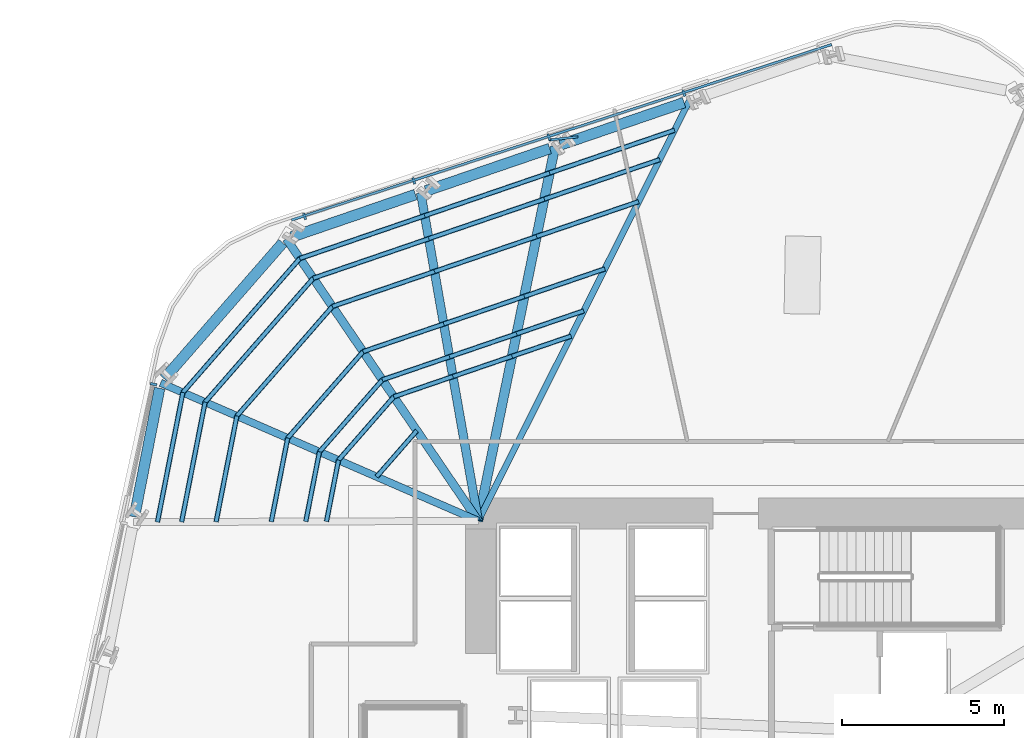
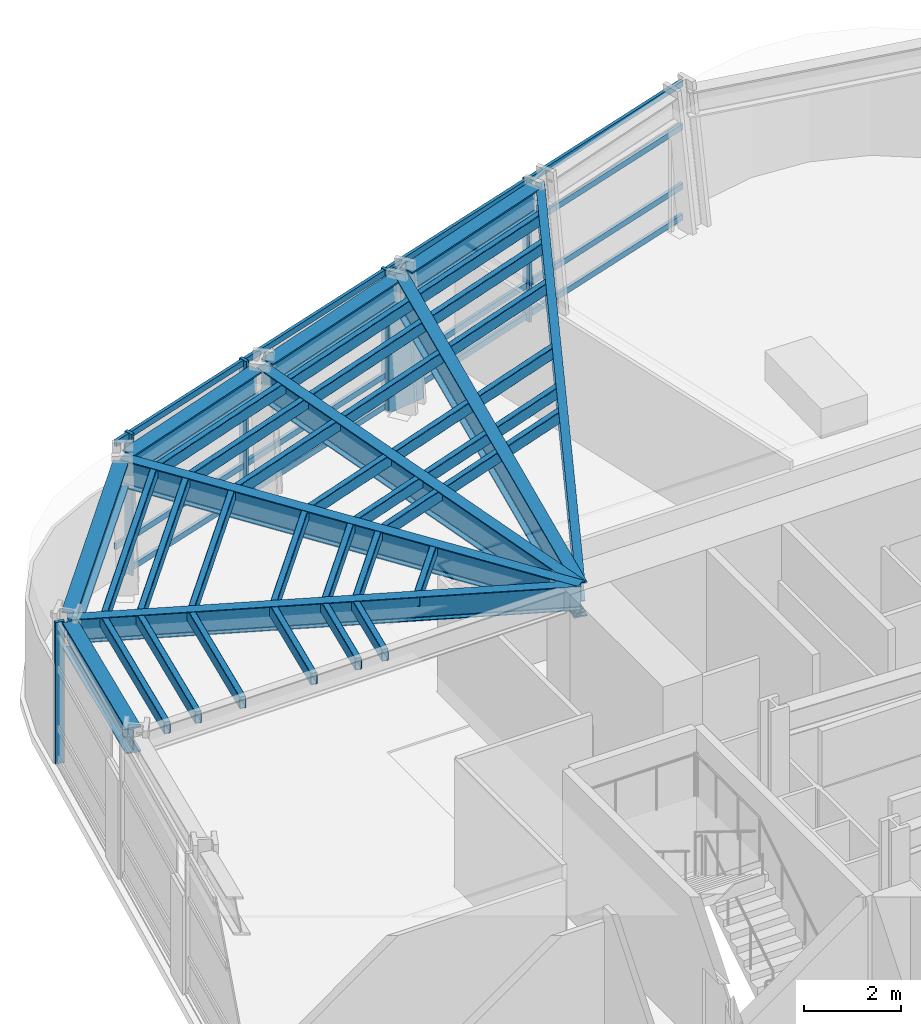
# One storey, part 6 of 16: 41 members, 10 beams, 2 elements without a shape of their own.
"""IFC4 building model written with IfcOpenShell, lengths in metres."""

from ifc_helpers import new_model, si_unit, direction, frame, origin, origin_2d, place, context, subcontext, project, spatial, rectangle, hollow_rectangle, i_section, extrude, material, layer, layer_set, material_profile, profile_set, type_object, element, aggregate, save


model = new_model("IFC4")

# Units and contexts
model_context = context("Model", 3, precision=1e-05, world=origin(), true_north=direction((0.0, 1.0)))
body_context = subcontext(model_context, "Body", "Model", "MODEL_VIEW")
ifc_project = project(units=[si_unit("LENGTHUNIT", "METRE"), si_unit("AREAUNIT", "SQUARE_METRE"), si_unit("VOLUMEUNIT", "CUBIC_METRE"), si_unit("PLANEANGLEUNIT", "RADIAN"), si_unit("MASSUNIT", "GRAM", prefix="KILO")], contexts=[model_context])

# Site, building, storey
site_placement = place(None, origin())
site = spatial("IfcSite", under=ifc_project, at=site_placement, CompositionType="ELEMENT")
building_placement = place(site_placement, origin())
building = spatial("IfcBuilding", under=site, at=building_placement, Name="Valkerne Bourse Tower", CompositionType="ELEMENT")
storey_placement = place(building_placement, frame((0.0, 0.0, 101.0)))
storey = spatial("IfcBuildingStorey", under=building, at=storey_placement, Name="L25", CompositionType="ELEMENT", Elevation=101.0)

# Beams
ifc_material_1 = material(Name="Steel ASTM A992", Category="steel")
ifc_material_profile_1 = material_profile(ifc_material_1, i_section(OverallWidth=0.1904296875, OverallDepth=0.457275390625, WebThickness=0.009033203125, FlangeThickness=0.014404296875, FilletRadius=0.01513671875, at=origin_2d()), Name="W18X50")
ifc_profile_set_1 = profile_set([ifc_material_profile_1], Name="Steel ASTM A992")
beam_type_1 = type_object("IfcBeamType", Name="BM-W18X50", PredefinedType="JOIST", material=ifc_profile_set_1)
beam_1_placement = place(storey_placement, frame((44.115966796875, 48.37060546875, 3.351318359375), z_axis=(-0.448894751473, -0.893584636227, 0.0), x_axis=(0.893584636227, -0.448894751473, 0.0)))
element("IfcBeam", 1, at=beam_1_placement, inside=storey, type_object=beam_type_1, Name="L25 Radial Composite Floor Beam 06", PredefinedType="JOIST", context=body_context, shape_type="SweptSolid", body=[
    extrude(i_section(OverallWidth=0.1904296875, OverallDepth=0.457275390625, WebThickness=0.009033203125, FlangeThickness=0.014404296875, FilletRadius=0.01513671875, at=origin_2d()), origin(), (0.0, 0.0, 1.0), 14.515380859375),
])
ifc_material_profile_2 = material_profile(ifc_material_1, i_section(OverallWidth=0.330078125, OverallDepth=0.647705078125, WebThickness=0.0205078125, FlangeThickness=0.037109375, FilletRadius=0.020263671875, at=origin_2d()), Name="W24X192")
ifc_profile_set_2 = profile_set([ifc_material_profile_2], Name="Steel ASTM A992")
beam_type_2 = type_object("IfcBeamType", Name="BM-W24X192", PredefinedType="SPANDREL", material=ifc_profile_set_2)
beam_2_placement = place(storey_placement, frame((43.955078125, 48.3154296875, 3.256103515625), z_axis=(-0.946085599933, -0.323916713987, 0.0), x_axis=(0.323916713987, -0.946085599933, 0.0)))
element("IfcBeam", 2, at=beam_2_placement, inside=storey, type_object=beam_type_2, Name="L25 Hexagonal Spandrel Ring Beam 06", PredefinedType="SPANDREL", context=body_context, shape_type="SweptSolid", body=[
    extrude(i_section(OverallWidth=0.330078125, OverallDepth=0.647705078125, WebThickness=0.0205078125, FlangeThickness=0.037109375, FilletRadius=0.020263671875, at=origin_2d()), origin(), (0.0, 0.0, 1.0), 4.04296875),
])
for number, where, z_axis, x_axis, name in (
    (3, (39.80859375, 46.895751953125, 3.256103515625), (-0.946091935333, -0.323898209161, 0.0), (0.323898209161, -0.946091935333, 0.0), "L25 Hexagonal Spandrel Ring Beam 07"),
    (4, (35.661865234375, 45.47607421875, 3.256103515625), (-0.946091935333, -0.323898209161, 0.0), (0.323898209161, -0.946091935333, 0.0), "L25 Hexagonal Spandrel Ring Beam 08"),
):
    element("IfcBeam", number, at=place(storey_placement, frame(where, z_axis=z_axis, x_axis=x_axis)), inside=storey, type_object=beam_type_2, Name=name, PredefinedType="SPANDREL", context=body_context, shape_type="SweptSolid", body=[
        extrude(i_section(OverallWidth=0.330078125, OverallDepth=0.647705078125, WebThickness=0.0205078125, FlangeThickness=0.037109375, FilletRadius=0.020263671875, at=origin_2d()), origin(), (0.0, 0.0, 1.0), 4.043212890625),
    ])
beam_3_placement = place(storey_placement, frame((31.564208984375, 43.983154296875, 3.256103515625), z_axis=(-0.657382534792, -0.753557033642, 0.0), x_axis=(0.753557033642, -0.657382534792, 0.0)))
element("IfcBeam", 5, at=beam_3_placement, inside=storey, type_object=beam_type_2, Name="L25 Hexagonal Spandrel Ring Beam 09", PredefinedType="SPANDREL", context=body_context, shape_type="SweptSolid", body=[
    extrude(i_section(OverallWidth=0.330078125, OverallDepth=0.647705078125, WebThickness=0.0205078125, FlangeThickness=0.037109375, FilletRadius=0.020263671875, at=origin_2d()), origin(), (0.0, 0.0, 1.0), 5.564453125),
])
beam_4_placement = place(storey_placement, frame((27.76171875, 39.4951171875, 3.256103515625), z_axis=(-0.192503392383, -0.981296307912, 0.0), x_axis=(0.981296307912, -0.192503392383, 0.0)))
element("IfcBeam", 6, at=beam_4_placement, inside=storey, type_object=beam_type_2, Name="L25 Hexagonal Spandrel Ring Beam 10", PredefinedType="SPANDREL", context=body_context, shape_type="SweptSolid", body=[
    extrude(i_section(OverallWidth=0.330078125, OverallDepth=0.647705078125, WebThickness=0.0205078125, FlangeThickness=0.037109375, FilletRadius=0.020263671875, at=origin_2d()), origin(), (0.0, 0.0, 1.0), 4.043212890625),
])
ifc_material_profile_3 = material_profile(ifc_material_1, i_section(OverallWidth=0.228271484375, OverallDepth=0.607177734375, WebThickness=0.01123046875, FlangeThickness=0.017333984375, FilletRadius=0.017822265625, at=origin_2d()), Name="W24X76")
ifc_profile_set_3 = profile_set([ifc_material_profile_3], Name="Steel ASTM A992")
beam_type_3 = type_object("IfcBeamType", Name="BM-W24X76", PredefinedType="JOIST", material=ifc_profile_set_3)
beam_5_placement = place(storey_placement, frame((27.79443359375, 39.661865234375, 3.2763671875), z_axis=(0.917116880212, -0.398618399011, 0.0), x_axis=(0.398618399011, 0.917116880212, 0.0)))
element("IfcBeam", 7, at=beam_5_placement, inside=storey, type_object=beam_type_3, Name="L25 Radial Composite Floor Beam 10", PredefinedType="JOIST", context=body_context, shape_type="SweptSolid", body=[
    extrude(i_section(OverallWidth=0.228271484375, OverallDepth=0.607177734375, WebThickness=0.01123046875, FlangeThickness=0.017333984375, FilletRadius=0.017822265625, at=origin_2d()), origin(), (0.0, 0.0, 1.0), 10.69189453125),
])
ifc_material_profile_4 = material_profile(ifc_material_1, i_section(OverallWidth=0.255859375, OverallDepth=0.693359375, WebThickness=0.014404296875, FlangeThickness=0.023681640625, FilletRadius=0.02294921875, at=origin_2d()), Name="W27X114")
ifc_profile_set_4 = profile_set([ifc_material_profile_4], Name="Steel ASTM A992")
beam_type_4 = type_object("IfcBeamType", Name="BM-W27X114", PredefinedType="BEAM", material=ifc_profile_set_4)
beam_6_placement = place(storey_placement, frame((31.67578125, 44.111328125, 3.2333984375), z_axis=(0.5623455175, -0.826902363613, 0.0), x_axis=(0.826902363613, 0.5623455175, 0.0)))
element("IfcBeam", 8, at=beam_6_placement, inside=storey, type_object=beam_type_4, Name="L25 Radial Composite Floor Beam 09", PredefinedType="BEAM", context=body_context, shape_type="SweptSolid", body=[
    extrude(i_section(OverallWidth=0.255859375, OverallDepth=0.693359375, WebThickness=0.014404296875, FlangeThickness=0.023681640625, FilletRadius=0.02294921875, at=origin_2d()), origin(), (0.0, 0.0, 1.0), 10.534912109375),
])
ifc_material_profile_5 = material_profile(ifc_material_1, i_section(OverallWidth=0.26806640625, OverallDepth=0.76953125, WebThickness=0.015625, FlangeThickness=0.025390625, FilletRadius=0.025390625, at=origin_2d()), Name="W30X132")
ifc_profile_set_5 = profile_set([ifc_material_profile_5], Name="Steel ASTM A992")
beam_type_5 = type_object("IfcBeamType", Name="BM-W30X132", PredefinedType="BEAM", material=ifc_profile_set_5)
beam_7_placement = place(storey_placement, frame((35.822509765625, 45.531005859375, 3.1953125), z_axis=(0.17281846499, -0.984953693408, 0.0), x_axis=(0.984953693408, 0.17281846499, 0.0)))
element("IfcBeam", 9, at=beam_7_placement, inside=storey, type_object=beam_type_5, Name="L25 Radial Composite Floor Beam 08", PredefinedType="BEAM", context=body_context, shape_type="SweptSolid", body=[
    extrude(i_section(OverallWidth=0.26806640625, OverallDepth=0.76953125, WebThickness=0.015625, FlangeThickness=0.025390625, FilletRadius=0.025390625, at=origin_2d()), origin(), (0.0, 0.0, 1.0), 10.285888671875),
])
ifc_material_profile_6 = material_profile(ifc_material_1, i_section(OverallWidth=0.2919921875, OverallDepth=0.8583984375, WebThickness=0.01708984375, FlangeThickness=0.031005859375, FilletRadius=0.025390625, at=origin_2d()), Name="W33X169")
ifc_profile_set_6 = profile_set([ifc_material_profile_6], Name="Steel ASTM A992")
beam_type_6 = type_object("IfcBeamType", Name="BM-W33X169", PredefinedType="BEAM", material=ifc_profile_set_6)
beam_8_placement = place(storey_placement, frame((39.96923828125, 46.95068359375, 3.15087890625), z_axis=(-0.200923765007, -0.97960688067, 0.0), x_axis=(0.97960688067, -0.200923765007, 0.0)))
element("IfcBeam", 10, at=beam_8_placement, inside=storey, type_object=beam_type_6, Name="L25 Radial Composite Floor Beam 07", PredefinedType="BEAM", context=body_context, shape_type="SweptSolid", body=[
    extrude(i_section(OverallWidth=0.2919921875, OverallDepth=0.8583984375, WebThickness=0.01708984375, FlangeThickness=0.031005859375, FilletRadius=0.025390625, at=origin_2d()), origin(), (0.0, 0.0, 1.0), 11.791259765625),
])

# Curtain wall, members
ifc_material_2 = material(Name="Aluminium AA 6063-T6", Category="aluminium")
ifc_layer = layer(ifc_material_2, 0.22998046875)
ifc_layer_set = layer_set([ifc_layer], Name="Aluminium AA 6063-T6")
curtain_wall_type = type_object("IfcCurtainWallType", Name="CW-02", PredefinedType="NOTDEFINED", material=ifc_layer_set)
curtain_wall_1_placement = place(storey_placement, origin())
curtain_wall_1 = element("IfcCurtainWall", 11, at=curtain_wall_1_placement, inside=storey, type_object=curtain_wall_type, Name="L25 Hexagonal Stick Curtain Wall Face 2", PredefinedType="NOTDEFINED")
ifc_material_profile_7 = material_profile(ifc_material_2, rectangle(XDim=0.074951171875, YDim=0.199951171875, at=origin_2d()), Name="CWM-75X200")
ifc_profile_set_7 = profile_set([ifc_material_profile_7], Name="Aluminium AA 6063-T6")
member_type_1 = type_object("IfcMemberType", Name="CW-MUL-220X75", PredefinedType="MULLION", material=ifc_profile_set_7)
member_1_placement = place(storey_placement, frame((43.947509765625, 48.603515625, 0.0), z_axis=(0.0, 0.0, 1.0), x_axis=(-0.951058377242, -0.309011266911, 0.0)))
member_1 = element("IfcMember", 12, at=member_1_placement, type_object=member_type_1, Name="CW-L25-F2 Jamb Mullion 01A", PredefinedType="MULLION", context=body_context, shape_type="SweptSolid", body=[
    extrude(rectangle(XDim=0.074951171875, YDim=0.199951171875, at=origin_2d()), origin(), (0.0, 0.0, 1.0), 3.580078125),
])
member_2_placement = place(storey_placement, frame((39.779052734375, 47.249267578125, 0.0), z_axis=(0.0, 0.0, 1.0), x_axis=(-0.951056198577, -0.309017972209, 0.0)))
member_2 = element("IfcMember", 13, at=member_2_placement, type_object=member_type_1, Name="CW-L25-F2 Jamb Mullion 02A", PredefinedType="MULLION", context=body_context, shape_type="SweptSolid", body=[
    extrude(rectangle(XDim=0.074951171875, YDim=0.199951171875, at=origin_2d()), origin(), (0.0, 0.0, 1.0), 3.580078125),
])
member_3_placement = place(storey_placement, frame((35.610595703125, 45.894775390625, 0.0), z_axis=(0.0, 0.0, 1.0), x_axis=(-0.951058377242, -0.309011266911, 0.0)))
member_3 = element("IfcMember", 14, at=member_3_placement, type_object=member_type_1, Name="CW-L25-F2 Jamb Mullion 03A", PredefinedType="MULLION", context=body_context, shape_type="SweptSolid", body=[
    extrude(rectangle(XDim=0.074951171875, YDim=0.199951171875, at=origin_2d()), origin(), (0.0, 0.0, 1.0), 3.580078125),
])
member_4_placement = place(storey_placement, frame((32.240966796875, 44.7998046875, 0.0), z_axis=(0.0, 0.0, 1.0), x_axis=(-0.951058377242, -0.309011266911, 0.0)))
member_4 = element("IfcMember", 15, at=member_4_placement, type_object=member_type_1, Name="CW-L25-F2 Jamb Mullion 03B", PredefinedType="MULLION", context=body_context, shape_type="SweptSolid", body=[
    extrude(rectangle(XDim=0.074951171875, YDim=0.199951171875, at=origin_2d()), origin(), (0.0, 0.0, 1.0), 3.580078125),
])

# Curtain wall, member
curtain_wall_2_placement = place(storey_placement, origin())
curtain_wall_2 = element("IfcCurtainWall", 16, at=curtain_wall_2_placement, inside=storey, type_object=curtain_wall_type, Name="L25 Hexagonal Stick Curtain Wall Face 3", PredefinedType="NOTDEFINED")
member_5_placement = place(storey_placement, frame((27.57568359375, 39.61865234375, 0.0), z_axis=(0.0, 0.0, 1.0), x_axis=(-0.207917695785, -0.978146324319, 0.0)))
member_5 = element("IfcMember", 17, at=member_5_placement, type_object=member_type_1, Name="CW-L25-F3 Jamb Mullion 00A", PredefinedType="MULLION", context=body_context, shape_type="SweptSolid", body=[
    extrude(rectangle(XDim=0.074951171875, YDim=0.199951171875, at=origin_2d()), origin(), (0.0, 0.0, 1.0), 3.580078125),
])
aggregate(curtain_wall_2, [member_5])

# Member
ifc_material_profile_8 = material_profile(ifc_material_2, rectangle(XDim=0.074951171875, YDim=0.14990234375, at=origin_2d()), Name="CWT-75X150")
ifc_profile_set_8 = profile_set([ifc_material_profile_8], Name="Aluminium AA 6063-T6")
member_type_2 = type_object("IfcMemberType", Name="CW-TRN-180X65", PredefinedType="USERDEFINED", material=ifc_profile_set_8)
member_6_placement = place(storey_placement, frame((48.50927734375, 50.10693359375, 0.1201171875), z_axis=(-0.951055352246, -0.309020576925, 0.0), x_axis=(0.309020576925, -0.951055352246, 0.0)))
member_6 = element("IfcMember", 18, at=member_6_placement, type_object=member_type_2, Name="CW-L25-F2 Continuous Face Transom 1", ObjectType="TRANSOM", PredefinedType="USERDEFINED", context=body_context, shape_type="SweptSolid", body=[
    extrude(rectangle(XDim=0.074951171875, YDim=0.14990234375, at=origin_2d()), origin(), (0.0, 0.0, 1.0), 17.531982421875),
])

member_7_placement = place(storey_placement, frame((48.50927734375, 50.10693359375, 0.89990234375), z_axis=(-0.951055352246, -0.309020576925, 0.0), x_axis=(0.309020576925, -0.951055352246, 0.0)))
member_7 = element("IfcMember", 19, at=member_7_placement, type_object=member_type_2, Name="CW-L25-F2 Continuous Face Transom 2", ObjectType="TRANSOM", PredefinedType="USERDEFINED", context=body_context, shape_type="SweptSolid", body=[
    extrude(rectangle(XDim=0.074951171875, YDim=0.14990234375, at=origin_2d()), origin(), (0.0, 0.0, 1.0), 17.531982421875),
])

member_8_placement = place(storey_placement, frame((48.50927734375, 50.10693359375, 2.39990234375), z_axis=(-0.951055352246, -0.309020576925, 0.0), x_axis=(0.309020576925, -0.951055352246, 0.0)))
member_8 = element("IfcMember", 20, at=member_8_placement, type_object=member_type_2, Name="CW-L25-F2 Continuous Face Transom 3", ObjectType="TRANSOM", PredefinedType="USERDEFINED", context=body_context, shape_type="SweptSolid", body=[
    extrude(rectangle(XDim=0.074951171875, YDim=0.14990234375, at=origin_2d()), origin(), (0.0, 0.0, 1.0), 17.531982421875),
])

member_9_placement = place(storey_placement, frame((48.50927734375, 50.10693359375, 3.5), z_axis=(-0.951055352246, -0.309020576925, 0.0), x_axis=(0.309020576925, -0.951055352246, 0.0)))
member_9 = element("IfcMember", 21, at=member_9_placement, type_object=member_type_2, Name="CW-L25-F2 Continuous Face Transom 4", ObjectType="TRANSOM", PredefinedType="USERDEFINED", context=body_context, shape_type="SweptSolid", body=[
    extrude(rectangle(XDim=0.074951171875, YDim=0.14990234375, at=origin_2d()), origin(), (0.0, 0.0, 1.0), 17.531982421875),
])

aggregate(curtain_wall_1, [member_6, member_7, member_8, member_9, member_1, member_2, member_3, member_4])

# Members
ifc_material_3 = material(Name="Bronze Anodised Aluminium AA 6063-T6", Category="aluminium")
ifc_material_profile_9 = material_profile(ifc_material_3, rectangle(XDim=0.070068359375, YDim=0.89990234375, at=origin_2d()), Name="FIN-70X900")
ifc_profile_set_9 = profile_set([ifc_material_profile_9], Name="Bronze Anodised Aluminium AA 6063-T6")
member_type_3 = type_object("IfcMemberType", Name="FIN-SOLAR-900", PredefinedType="USERDEFINED", material=ifc_profile_set_9)
member_10_placement = place(storey_placement, frame((40.234130859375, 47.207763671875, 0.00390625), z_axis=(0.0, 0.0, 1.0), x_axis=(-0.112549154347, 0.993646158276, 0.0)))
element("IfcMember", 22, at=member_10_placement, inside=storey, type_object=member_type_3, Name="L25 Bronze Anodised Solar Fin F2-02", ObjectType="SOLAR_FIN", PredefinedType="USERDEFINED", context=body_context, shape_type="SweptSolid", body=[
    extrude(rectangle(XDim=0.070068359375, YDim=0.89990234375, at=origin_2d()), origin(), (0.0, 0.0, 1.0), 3.572021484375),
])
ifc_material_4 = material(Name="Steel ASTM A500 Grade C", Category="steel")
ifc_material_profile_10 = material_profile(ifc_material_4, hollow_rectangle(XDim=0.14990234375, YDim=0.300048828125, WallThickness=0.012451171875, OuterFilletRadius=0.02490234375, at=origin_2d()), Name="HSS300X150X12.5")
ifc_profile_set_10 = profile_set([ifc_material_profile_10], Name="Steel ASTM A500 Grade C")
member_type_4 = type_object("IfcMemberType", Name="MBR-HSS300X150X12.5", PredefinedType="PURLIN", material=ifc_profile_set_10)
member_11_placement = place(storey_placement, frame((35.704345703125, 38.1875, 3.419921875), z_axis=(-0.657470228399, -0.753480523152, 0.0), x_axis=(0.753480523152, -0.657470228399, 0.0)))
element("IfcMember", 23, at=member_11_placement, inside=storey, type_object=member_type_4, Name="L25 Secondary Composite Floor Purlin I-09", PredefinedType="PURLIN", context=body_context, shape_type="SweptSolid", body=[
    extrude(hollow_rectangle(XDim=0.14990234375, YDim=0.300048828125, WallThickness=0.012451171875, OuterFilletRadius=0.02490234375, at=origin_2d()), origin(), (0.0, 0.0, 1.0), 1.889404296875),
])
member_12_placement = place(storey_placement, frame((40.467041015625, 41.10693359375, 3.419921875), z_axis=(-0.946107850775, -0.323851717153, 0.0), x_axis=(0.323851717153, -0.946107850775, 0.0)))
element("IfcMember", 24, at=member_12_placement, inside=storey, type_object=member_type_4, Name="L25 Secondary Composite Floor Purlin K-06", PredefinedType="PURLIN", context=body_context, shape_type="SweptSolid", body=[
    extrude(hollow_rectangle(XDim=0.14990234375, YDim=0.300048828125, WallThickness=0.012451171875, OuterFilletRadius=0.02490234375, at=origin_2d()), origin(), (0.0, 0.0, 1.0), 1.928466796875),
])
member_13_placement = place(storey_placement, frame((38.642578125, 40.482421875, 3.419921875), z_axis=(-0.946082338969, -0.323926238349, 0.0), x_axis=(0.323926238349, -0.946082338969, 0.0)))
element("IfcMember", 25, at=member_13_placement, inside=storey, type_object=member_type_4, Name="L25 Secondary Composite Floor Purlin K-07", PredefinedType="PURLIN", context=body_context, shape_type="SweptSolid", body=[
    extrude(hollow_rectangle(XDim=0.14990234375, YDim=0.300048828125, WallThickness=0.012451171875, OuterFilletRadius=0.02490234375, at=origin_2d()), origin(), (0.0, 0.0, 1.0), 1.9287109375),
])
member_14_placement = place(storey_placement, frame((36.81787109375, 39.857666015625, 3.419921875), z_axis=(-0.946069054441, -0.323965035503, 0.0), x_axis=(0.323965035503, -0.946069054441, 0.0)))
element("IfcMember", 26, at=member_14_placement, inside=storey, type_object=member_type_4, Name="L25 Secondary Composite Floor Purlin K-08", PredefinedType="PURLIN", context=body_context, shape_type="SweptSolid", body=[
    extrude(hollow_rectangle(XDim=0.14990234375, YDim=0.300048828125, WallThickness=0.012451171875, OuterFilletRadius=0.02490234375, at=origin_2d()), origin(), (0.0, 0.0, 1.0), 1.928466796875),
])
member_15_placement = place(storey_placement, frame((34.993408203125, 39.23291015625, 3.419921875), z_axis=(-0.657406217943, -0.753536372453, 0.0), x_axis=(0.753536372453, -0.657406217943, 0.0)))
element("IfcMember", 27, at=member_15_placement, inside=storey, type_object=member_type_4, Name="L25 Secondary Composite Floor Purlin K-09", PredefinedType="PURLIN", context=body_context, shape_type="SweptSolid", body=[
    extrude(hollow_rectangle(XDim=0.14990234375, YDim=0.300048828125, WallThickness=0.012451171875, OuterFilletRadius=0.02490234375, at=origin_2d()), origin(), (0.0, 0.0, 1.0), 2.59814453125),
])
member_16_placement = place(storey_placement, frame((33.285400390625, 37.275146484375, 3.419921875), z_axis=(-0.192438365935, -0.981309062078, 0.0), x_axis=(0.981309062078, -0.192438365935, 0.0)))
element("IfcMember", 28, at=member_16_placement, inside=storey, type_object=member_type_4, Name="L25 Secondary Composite Floor Purlin K-10", PredefinedType="PURLIN", context=body_context, shape_type="SweptSolid", body=[
    extrude(hollow_rectangle(XDim=0.14990234375, YDim=0.300048828125, WallThickness=0.012451171875, OuterFilletRadius=0.02490234375, at=origin_2d()), origin(), (0.0, 0.0, 1.0), 1.928466796875),
])
member_17_placement = place(storey_placement, frame((40.85791015625, 41.88525390625, 3.419921875), z_axis=(-0.946066970877, -0.323971120032, 0.0), x_axis=(0.323971120032, -0.946066970877, 0.0)))
element("IfcMember", 29, at=member_17_placement, inside=storey, type_object=member_type_4, Name="L25 Secondary Composite Floor Purlin M-06", PredefinedType="PURLIN", context=body_context, shape_type="SweptSolid", body=[
    extrude(hollow_rectangle(XDim=0.14990234375, YDim=0.300048828125, WallThickness=0.012451171875, OuterFilletRadius=0.02490234375, at=origin_2d()), origin(), (0.0, 0.0, 1.0), 2.19140625),
])
member_18_placement = place(storey_placement, frame((38.78466796875, 41.17529296875, 3.419921875), z_axis=(-0.946112797211, -0.323837266159, 0.0), x_axis=(0.323837266159, -0.946112797211, 0.0)))
element("IfcMember", 30, at=member_18_placement, inside=storey, type_object=member_type_4, Name="L25 Secondary Composite Floor Purlin M-07", PredefinedType="PURLIN", context=body_context, shape_type="SweptSolid", body=[
    extrude(hollow_rectangle(XDim=0.14990234375, YDim=0.300048828125, WallThickness=0.012451171875, OuterFilletRadius=0.02490234375, at=origin_2d()), origin(), (0.0, 0.0, 1.0), 2.191650390625),
])
member_19_placement = place(storey_placement, frame((36.711181640625, 40.465576171875, 3.419921875), z_axis=(-0.946066970877, -0.323971120032, 0.0), x_axis=(0.323971120032, -0.946066970877, 0.0)))
element("IfcMember", 31, at=member_19_placement, inside=storey, type_object=member_type_4, Name="L25 Secondary Composite Floor Purlin M-08", PredefinedType="PURLIN", context=body_context, shape_type="SweptSolid", body=[
    extrude(hollow_rectangle(XDim=0.14990234375, YDim=0.300048828125, WallThickness=0.012451171875, OuterFilletRadius=0.02490234375, at=origin_2d()), origin(), (0.0, 0.0, 1.0), 2.19140625),
])
member_20_placement = place(storey_placement, frame((34.637939453125, 39.755615234375, 3.419921875), z_axis=(-0.657379743111, -0.753559469018, 0.0), x_axis=(0.753559469018, -0.657379743111, 0.0)))
element("IfcMember", 32, at=member_20_placement, inside=storey, type_object=member_type_4, Name="L25 Secondary Composite Floor Purlin M-09", PredefinedType="PURLIN", context=body_context, shape_type="SweptSolid", body=[
    extrude(hollow_rectangle(XDim=0.14990234375, YDim=0.300048828125, WallThickness=0.012451171875, OuterFilletRadius=0.02490234375, at=origin_2d()), origin(), (0.0, 0.0, 1.0), 2.9521484375),
])
member_21_placement = place(storey_placement, frame((32.697265625, 37.531005859375, 3.419921875), z_axis=(-0.192494388925, -0.9812980741, 0.0), x_axis=(0.9812980741, -0.192494388925, 0.0)))
element("IfcMember", 33, at=member_21_placement, inside=storey, type_object=member_type_4, Name="L25 Secondary Composite Floor Purlin M-10", PredefinedType="PURLIN", context=body_context, shape_type="SweptSolid", body=[
    extrude(hollow_rectangle(XDim=0.14990234375, YDim=0.300048828125, WallThickness=0.012451171875, OuterFilletRadius=0.02490234375, at=origin_2d()), origin(), (0.0, 0.0, 1.0), 2.191650390625),
])
for number, where, z_axis, x_axis, name in (
    (34, (42.55224609375, 45.257568359375, 3.419921875), (-0.946101945891, -0.323868967301, 0.0), (0.323868967301, -0.946101945891, 0.0), "L25 Secondary Composite Floor Purlin O-06"),
    (35, (39.400634765625, 44.1787109375, 3.419921875), (-0.946071795893, -0.323957029582, 0.0), (0.323957029582, -0.946071795893, 0.0), "L25 Secondary Composite Floor Purlin O-07"),
):
    element("IfcMember", number, at=place(storey_placement, frame(where, z_axis=z_axis, x_axis=x_axis)), inside=storey, type_object=member_type_4, Name=name, PredefinedType="PURLIN", context=body_context, shape_type="SweptSolid", body=[
        extrude(hollow_rectangle(XDim=0.14990234375, YDim=0.300048828125, WallThickness=0.012451171875, OuterFilletRadius=0.02490234375, at=origin_2d()), origin(), (0.0, 0.0, 1.0), 3.3310546875),
    ])
member_22_placement = place(storey_placement, frame((36.249267578125, 43.099609375, 3.419921875), z_axis=(-0.946079487105, -0.323934567589, 0.0), x_axis=(0.323934567589, -0.946079487105, 0.0)))
element("IfcMember", 36, at=member_22_placement, inside=storey, type_object=member_type_4, Name="L25 Secondary Composite Floor Purlin O-08", PredefinedType="PURLIN", context=body_context, shape_type="SweptSolid", body=[
    extrude(hollow_rectangle(XDim=0.14990234375, YDim=0.300048828125, WallThickness=0.012451171875, OuterFilletRadius=0.02490234375, at=origin_2d()), origin(), (0.0, 0.0, 1.0), 3.331298828125),
])
member_23_placement = place(storey_placement, frame((33.09765625, 42.0205078125, 3.419921875), z_axis=(-0.657375325317, -0.75356332293, 0.0), x_axis=(0.75356332293, -0.657375325317, 0.0)))
element("IfcMember", 37, at=member_23_placement, inside=storey, type_object=member_type_4, Name="L25 Secondary Composite Floor Purlin O-09", PredefinedType="PURLIN", context=body_context, shape_type="SweptSolid", body=[
    extrude(hollow_rectangle(XDim=0.14990234375, YDim=0.300048828125, WallThickness=0.012451171875, OuterFilletRadius=0.02490234375, at=origin_2d()), origin(), (0.0, 0.0, 1.0), 4.487548828125),
])
member_24_placement = place(storey_placement, frame((30.147705078125, 38.638916015625, 3.419921875), z_axis=(-0.192478123753, -0.981301264585, 0.0), x_axis=(0.981301264585, -0.192478123753, 0.0)))
element("IfcMember", 38, at=member_24_placement, inside=storey, type_object=member_type_4, Name="L25 Secondary Composite Floor Purlin O-10", PredefinedType="PURLIN", context=body_context, shape_type="SweptSolid", body=[
    extrude(hollow_rectangle(XDim=0.14990234375, YDim=0.300048828125, WallThickness=0.012451171875, OuterFilletRadius=0.02490234375, at=origin_2d()), origin(), (0.0, 0.0, 1.0), 3.330810546875),
])
member_25_placement = place(storey_placement, frame((41.509521484375, 43.182373046875, 3.419921875), z_axis=(-0.946089887206, -0.323904191587, 0.0), x_axis=(0.323904191587, -0.946089887206, 0.0)))
element("IfcMember", 39, at=member_25_placement, inside=storey, type_object=member_type_4, Name="L25 Secondary Composite Floor Purlin Z-06", PredefinedType="PURLIN", context=body_context, shape_type="SweptSolid", body=[
    extrude(hollow_rectangle(XDim=0.14990234375, YDim=0.300048828125, WallThickness=0.012451171875, OuterFilletRadius=0.02490234375, at=origin_2d()), origin(), (0.0, 0.0, 1.0), 2.6298828125),
])
member_26_placement = place(storey_placement, frame((39.021484375, 42.33056640625, 3.419921875), z_axis=(-0.946080146151, -0.323932642779, 0.0), x_axis=(0.323932642779, -0.946080146151, 0.0)))
element("IfcMember", 40, at=member_26_placement, inside=storey, type_object=member_type_4, Name="L25 Secondary Composite Floor Purlin Z-07", PredefinedType="PURLIN", context=body_context, shape_type="SweptSolid", body=[
    extrude(hollow_rectangle(XDim=0.14990234375, YDim=0.300048828125, WallThickness=0.012451171875, OuterFilletRadius=0.02490234375, at=origin_2d()), origin(), (0.0, 0.0, 1.0), 2.629638671875),
])
member_27_placement = place(storey_placement, frame((36.53369140625, 41.478759765625, 3.419921875), z_axis=(-0.946071178764, -0.323958831818, 0.0), x_axis=(0.323958831818, -0.946071178764, 0.0)))
element("IfcMember", 41, at=member_27_placement, inside=storey, type_object=member_type_4, Name="L25 Secondary Composite Floor Purlin Z-08", PredefinedType="PURLIN", context=body_context, shape_type="SweptSolid", body=[
    extrude(hollow_rectangle(XDim=0.14990234375, YDim=0.300048828125, WallThickness=0.012451171875, OuterFilletRadius=0.02490234375, at=origin_2d()), origin(), (0.0, 0.0, 1.0), 2.630126953125),
])
member_28_placement = place(storey_placement, frame((34.04541015625, 40.626708984375, 3.419921875), z_axis=(-0.657367086723, -0.753570509835, 0.0), x_axis=(0.753570509835, -0.657367086723, 0.0)))
element("IfcMember", 42, at=member_28_placement, inside=storey, type_object=member_type_4, Name="L25 Secondary Composite Floor Purlin Z-09", PredefinedType="PURLIN", context=body_context, shape_type="SweptSolid", body=[
    extrude(hollow_rectangle(XDim=0.14990234375, YDim=0.300048828125, WallThickness=0.012451171875, OuterFilletRadius=0.02490234375, at=origin_2d()), origin(), (0.0, 0.0, 1.0), 3.542724609375),
])
member_29_placement = place(storey_placement, frame((31.716552734375, 37.95703125, 3.419921875), z_axis=(-0.192454778916, -0.981305843289, 0.0), x_axis=(0.981305843289, -0.192454778916, 0.0)))
element("IfcMember", 43, at=member_29_placement, inside=storey, type_object=member_type_4, Name="L25 Secondary Composite Floor Purlin Z-10", PredefinedType="PURLIN", context=body_context, shape_type="SweptSolid", body=[
    extrude(hollow_rectangle(XDim=0.14990234375, YDim=0.300048828125, WallThickness=0.012451171875, OuterFilletRadius=0.02490234375, at=origin_2d()), origin(), (0.0, 0.0, 1.0), 2.629638671875),
])
member_30_placement = place(storey_placement, frame((43.203857421875, 46.5546875, 3.419921875), z_axis=(-0.946087222841, -0.323911973809, 0.0), x_axis=(0.323911973809, -0.946087222841, 0.0)))
element("IfcMember", 44, at=member_30_placement, inside=storey, type_object=member_type_4, Name="L25 Secondary Composite Floor Purlin T-06", PredefinedType="PURLIN", context=body_context, shape_type="SweptSolid", body=[
    extrude(hollow_rectangle(XDim=0.14990234375, YDim=0.300048828125, WallThickness=0.012451171875, OuterFilletRadius=0.02490234375, at=origin_2d()), origin(), (0.0, 0.0, 1.0), 3.769287109375),
])
member_31_placement = place(storey_placement, frame((39.6376953125, 45.333740234375, 3.419921875), z_axis=(-0.946094017759, -0.323892126425, 0.0), x_axis=(0.323892126425, -0.946094017759, 0.0)))
element("IfcMember", 45, at=member_31_placement, inside=storey, type_object=member_type_4, Name="L25 Secondary Composite Floor Purlin T-07", PredefinedType="PURLIN", context=body_context, shape_type="SweptSolid", body=[
    extrude(hollow_rectangle(XDim=0.14990234375, YDim=0.300048828125, WallThickness=0.012451171875, OuterFilletRadius=0.02490234375, at=origin_2d()), origin(), (0.0, 0.0, 1.0), 3.76953125),
])
member_32_placement = place(storey_placement, frame((36.0712890625, 44.11279296875, 3.419921875), z_axis=(-0.946060574495, -0.323989798276, 0.0), x_axis=(0.323989798276, -0.946060574495, 0.0)))
element("IfcMember", 46, at=member_32_placement, inside=storey, type_object=member_type_4, Name="L25 Secondary Composite Floor Purlin T-08", PredefinedType="PURLIN", context=body_context, shape_type="SweptSolid", body=[
    extrude(hollow_rectangle(XDim=0.14990234375, YDim=0.300048828125, WallThickness=0.012451171875, OuterFilletRadius=0.02490234375, at=origin_2d()), origin(), (0.0, 0.0, 1.0), 3.769287109375),
])
member_33_placement = place(storey_placement, frame((32.50537109375, 42.8916015625, 3.419921875), z_axis=(-0.657390826249, -0.753549800321, 0.0), x_axis=(0.753549800321, -0.657390826249, 0.0)))
element("IfcMember", 47, at=member_33_placement, inside=storey, type_object=member_type_4, Name="L25 Secondary Composite Floor Purlin T-09", PredefinedType="PURLIN", context=body_context, shape_type="SweptSolid", body=[
    extrude(hollow_rectangle(XDim=0.14990234375, YDim=0.300048828125, WallThickness=0.012451171875, OuterFilletRadius=0.02490234375, at=origin_2d()), origin(), (0.0, 0.0, 1.0), 5.077880859375),
])
member_34_placement = place(storey_placement, frame((29.167236328125, 39.065185546875, 3.419921875), z_axis=(-0.19256488792, -0.981284242175, 0.0), x_axis=(0.981284242175, -0.19256488792, 0.0)))
element("IfcMember", 48, at=member_34_placement, inside=storey, type_object=member_type_4, Name="L25 Secondary Composite Floor Purlin T-10", PredefinedType="PURLIN", context=body_context, shape_type="SweptSolid", body=[
    extrude(hollow_rectangle(XDim=0.14990234375, YDim=0.300048828125, WallThickness=0.012451171875, OuterFilletRadius=0.02490234375, at=origin_2d()), origin(), (0.0, 0.0, 1.0), 3.769287109375),
])
for number, where, z_axis, x_axis, name in (
    (49, (43.659912109375, 47.462646484375, 3.419921875), (-0.946070299838, -0.323961398571, 0.0), (0.323961398571, -0.946070299838, 0.0), "L25 Secondary Composite Floor Purlin U-06"),
    (50, (39.803466796875, 46.14208984375, 3.419921875), (-0.946107008447, -0.323854177936, 0.0), (0.323854177936, -0.946107008447, 0.0), "L25 Secondary Composite Floor Purlin U-07"),
    (51, (35.947021484375, 44.822021484375, 3.419921875), (-0.946070299838, -0.323961398571, 0.0), (0.323961398571, -0.946070299838, 0.0), "L25 Secondary Composite Floor Purlin U-08"),
):
    element("IfcMember", number, at=place(storey_placement, frame(where, z_axis=z_axis, x_axis=x_axis)), inside=storey, type_object=member_type_4, Name=name, PredefinedType="PURLIN", context=body_context, shape_type="SweptSolid", body=[
        extrude(hollow_rectangle(XDim=0.14990234375, YDim=0.300048828125, WallThickness=0.012451171875, OuterFilletRadius=0.02490234375, at=origin_2d()), origin(), (0.0, 0.0, 1.0), 4.076171875),
    ])
member_35_placement = place(storey_placement, frame((32.090576171875, 43.50146484375, 3.419921875), z_axis=(-0.657386478686, -0.753553593078, 0.0), x_axis=(0.753553593078, -0.657386478686, 0.0)))
element("IfcMember", 52, at=member_35_placement, inside=storey, type_object=member_type_4, Name="L25 Secondary Composite Floor Purlin U-09", PredefinedType="PURLIN", context=body_context, shape_type="SweptSolid", body=[
    extrude(hollow_rectangle(XDim=0.14990234375, YDim=0.300048828125, WallThickness=0.012451171875, OuterFilletRadius=0.02490234375, at=origin_2d()), origin(), (0.0, 0.0, 1.0), 5.4912109375),
])
member_36_placement = place(storey_placement, frame((28.480712890625, 39.363525390625, 3.419921875), z_axis=(-0.19249814702, -0.981297336893, 0.0), x_axis=(0.981297336893, -0.19249814702, 0.0)))
element("IfcMember", 53, at=member_36_placement, inside=storey, type_object=member_type_4, Name="L25 Secondary Composite Floor Purlin U-10", PredefinedType="PURLIN", context=body_context, shape_type="SweptSolid", body=[
    extrude(hollow_rectangle(XDim=0.14990234375, YDim=0.300048828125, WallThickness=0.012451171875, OuterFilletRadius=0.02490234375, at=origin_2d()), origin(), (0.0, 0.0, 1.0), 4.076171875),
])

save(model, "model.ifc")
